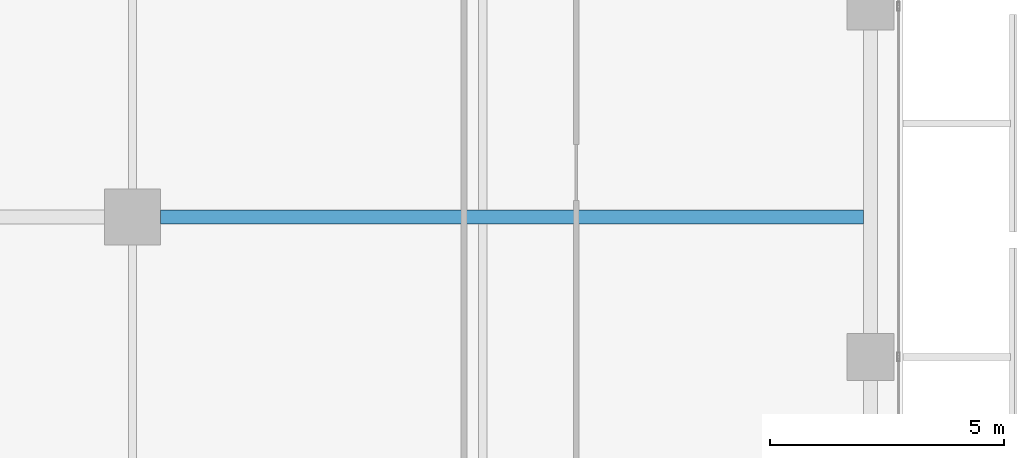
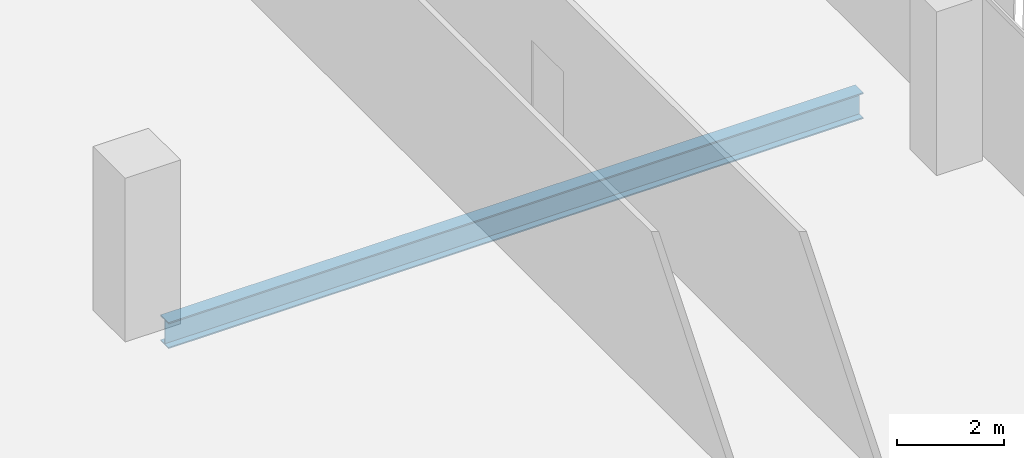
# One storey, part 13 of 38: 1 beam.
"""IFC4 building model written with IfcOpenShell, lengths in metres."""

from ifc_helpers import new_model, si_unit, direction, frame, origin, origin_2d, place, context, subcontext, project, spatial, i_section, extrude, source, transform, mapped, material, material_profile, profile_set, type_object, element, save


model = new_model("IFC4")

# Units and contexts
model_context = context("Model", 3, precision=1e-05, world=origin(), true_north=direction((0.0, 1.0)))
body_context = subcontext(model_context, "Body", "Model", "MODEL_VIEW")
ifc_project = project(units=[si_unit("LENGTHUNIT", "METRE"), si_unit("AREAUNIT", "SQUARE_METRE"), si_unit("VOLUMEUNIT", "CUBIC_METRE"), si_unit("PLANEANGLEUNIT", "RADIAN"), si_unit("MASSUNIT", "GRAM", prefix="KILO")], contexts=[model_context])

# Site, building, storey
site_placement = place(None, origin())
site = spatial("IfcSite", under=ifc_project, at=site_placement, CompositionType="ELEMENT")
building_placement = place(site_placement, origin())
building = spatial("IfcBuilding", under=site, at=building_placement, Name="Khomas Fold Tower", CompositionType="ELEMENT")
storey_placement = place(building_placement, frame((0.0, 0.0, 208.699951171875)))
storey = spatial("IfcBuildingStorey", under=building, at=storey_placement, Name="L46", CompositionType="ELEMENT", Elevation=208.699951171875)

# Beam
ifc_material = material(Name="Steel S355", Category="steel")
ifc_material_profile = material_profile(ifc_material, i_section(OverallWidth=0.300048828125, OverallDepth=0.60009765625, WebThickness=0.015380859375, FlangeThickness=0.030029296875, at=origin_2d()), Name="HE 600 B")
ifc_profile_set = profile_set([ifc_material_profile], Name="Steel S355")
beam_type = type_object("IfcBeamType", Name="HE 600 B beam GB5", PredefinedType="BEAM", material=ifc_profile_set)
shared_shape = source(origin(), body_context, "Body", "SweptSolid", [
    extrude(i_section(OverallWidth=0.300048828125, OverallDepth=0.60009765625, WebThickness=0.015380859375, FlangeThickness=0.030029296875, at=origin_2d()), origin(), (0.0, 0.0, 1.0), 15.0498046875),
])
beam_placement = place(storey_placement, frame((35.10009765625, 22.5, -0.550048828125), z_axis=(1.0, 0.0, 0.0), x_axis=(0.0, 1.0, 0.0)))
element("IfcBeam", 1, at=beam_placement, inside=storey, type_object=beam_type, Name="GB5", PredefinedType="BEAM", context=body_context, shape_type="MappedRepresentation", body=[
    mapped(shared_shape, transform((0.0, 0.0, 0.0))),
])

save(model, "model.ifc")
